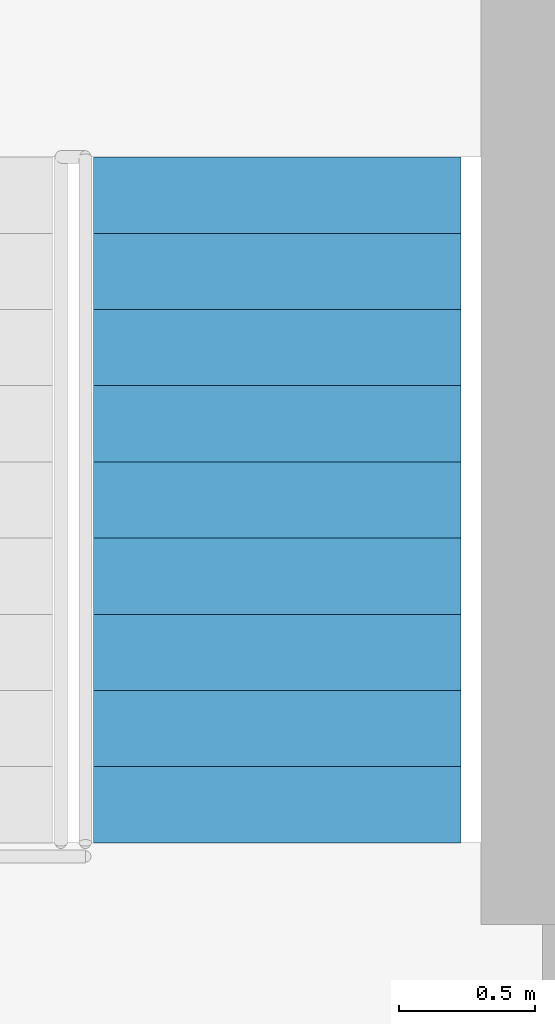
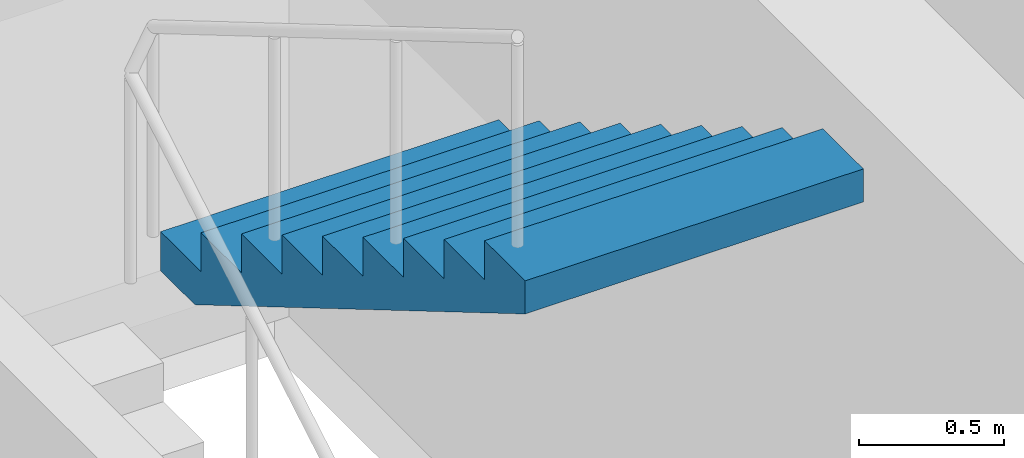
# One storey, part 12 of 13: 1 stair flight, 1 element without a shape of its own.
"""IFC4 building model written with IfcOpenShell, lengths in metres."""

import ifcopenshell
import ifcopenshell.guid

model = None  # the IFC model being written
_history = None  # IfcOwnerHistory: only IFC2X3 demands one
_inside = {}  # id of a spatial element -> (the spatial element, [elements in it])
_under = {}  # id of a project, library or spatial element -> (it, [spatial elements below it])
_declared = {}  # id of a project -> (the project, [libraries it declares])
_typed = {}  # id of a type object -> (the type object, [elements of that type])
_made_of = {}  # id of a material, layer set ... -> (it, [elements and type objects made of it])


def new_model(schema):
    """Start an empty IFC model of exactly this schema.

    Asked for "IFC4X3", IfcOpenShell would pick the latest addendum, in which some entities
    have other attributes; the version numbers below select the first issue.
    IFC2X3 requires an IfcOwnerHistory on every rooted entity: one is made here for all.
    """
    global model, _history
    if schema == "IFC4X3":
        model = ifcopenshell.file(schema_version=(4, 3, 0, 0))
    else:
        model = ifcopenshell.file(schema=schema)
    _inside.clear()
    _under.clear()
    _declared.clear()
    _typed.clear()
    _made_of.clear()
    _history = None
    if model.schema == "IFC2X3":
        org = make("IfcOrganization", Name="unknown")
        user = make(
            "IfcPersonAndOrganization",
            ThePerson=make("IfcPerson", FamilyName="unknown"),
            TheOrganization=org,
        )
        app = make(
            "IfcApplication",
            ApplicationDeveloper=org,
            Version="unknown",
            ApplicationFullName="unknown",
            ApplicationIdentifier="unknown",
        )
        _history = make(
            "IfcOwnerHistory",
            OwningUser=user,
            OwningApplication=app,
            ChangeAction="ADDED",
            CreationDate=0,
        )
    return model


def make(cls, **values):
    """One entity of the class cls with the attributes given. An attribute that is None is left unset."""
    return model.create_entity(
        cls, **{name: value for name, value in values.items() if value is not None}
    )


def rooted(cls, **values):
    """An entity with a GlobalId (a new one), such as an element, a storey or a relation."""
    return make(cls, GlobalId=ifcopenshell.guid.new(), OwnerHistory=_history, **values)


def si_unit(unit_type, name, prefix=None):
    """IfcSIUnit, for example si_unit("LENGTHUNIT", "METRE", prefix="MILLI")."""
    return make("IfcSIUnit", UnitType=unit_type, Prefix=prefix, Name=name)


def assignment(units):
    """IfcUnitAssignment: the units of a project."""
    return None if units is None else make("IfcUnitAssignment", Units=units)


def point(xyz):
    """IfcCartesianPoint."""
    return None if xyz is None else make("IfcCartesianPoint", Coordinates=xyz)


def direction(xyz):
    """IfcDirection."""
    return None if xyz is None else make("IfcDirection", DirectionRatios=xyz)


def frame(location, z_axis=None, x_axis=None):
    """IfcAxis2Placement3D, a coordinate frame: its origin and axes. An axis left out is left unset."""
    return make(
        "IfcAxis2Placement3D",
        Location=point(location),
        Axis=direction(z_axis),
        RefDirection=direction(x_axis),
    )


def origin():
    """The frame at (0, 0, 0) with its axes left unset."""
    return frame((0.0, 0.0, 0.0))


def place(relative_to, where):
    """IfcLocalPlacement: puts the frame where relative to a parent placement (None: the world)."""
    return make(
        "IfcLocalPlacement", PlacementRelTo=relative_to, RelativePlacement=where
    )


def context(
    kind, dimensions, precision=None, world=None, true_north=None, identifier=None
):
    """IfcGeometricRepresentationContext, for example the 3D "Model" context."""
    return make(
        "IfcGeometricRepresentationContext",
        ContextIdentifier=identifier,
        ContextType=kind,
        CoordinateSpaceDimension=dimensions,
        Precision=precision,
        WorldCoordinateSystem=world,
        TrueNorth=true_north,
    )


def subcontext(parent, identifier, kind, view, scale=None):
    """IfcGeometricRepresentationSubContext, for example "Body" below "Model"."""
    return make(
        "IfcGeometricRepresentationSubContext",
        ContextIdentifier=identifier,
        ContextType=kind,
        ParentContext=parent,
        TargetScale=scale,
        TargetView=view,
    )


def project(units=None, contexts=None):
    """IfcProject with its units and contexts."""
    return rooted(
        "IfcProject",
        Name="project",
        RepresentationContexts=contexts,
        UnitsInContext=assignment(units),
    )


def spatial(cls, under=None, at=None, **own):
    """A site, building, storey or space (cls), placed at a placement, below another one or the project."""
    s = rooted(cls, ObjectPlacement=at, **own)
    if under is not None:
        _under.setdefault(under.id(), (under, []))[1].append(s)
    return s


def polyline(points):
    """IfcPolyline through the points."""
    return make("IfcPolyline", Points=[point(p) for p in points])


def outline(outer, holes=None, kind="AREA"):
    """IfcArbitraryClosedProfileDef: a profile drawn as a closed curve; with holes, ...WithVoids."""
    if holes is None:
        return make("IfcArbitraryClosedProfileDef", ProfileType=kind, OuterCurve=outer)
    return make(
        "IfcArbitraryProfileDefWithVoids",
        ProfileType=kind,
        OuterCurve=outer,
        InnerCurves=holes,
    )


def extrude(swept, where, along, depth):
    """IfcExtrudedAreaSolid: the profile swept, set in the frame where, extruded along a direction by depth."""
    return make(
        "IfcExtrudedAreaSolid",
        SweptArea=swept,
        Position=where,
        ExtrudedDirection=direction(along),
        Depth=depth,
    )


def shape(context_of_items, identifier, shape_type, items):
    """IfcShapeRepresentation: the items that make up one representation, for example the "Body"."""
    return make(
        "IfcShapeRepresentation",
        ContextOfItems=context_of_items,
        RepresentationIdentifier=identifier,
        RepresentationType=shape_type,
        Items=items,
    )


def material(Name=None, Category=None):
    """IfcMaterial."""
    return make("IfcMaterial", Name=Name, Category=Category)


def made_of(thing, what):
    """Note that an element or type object is made of a material, layer set ...; save() writes the relation."""
    if what is not None:
        _made_of.setdefault(what.id(), (what, []))[1].append(thing)
    return thing


def type_object(cls, material=None, **own):
    """A type object (cls), such as IfcWallType, which elements share."""
    return made_of(rooted(cls, **own), material)


def element(
    cls,
    number,
    at=None,
    inside=None,
    cuts=None,
    type_object=None,
    material=None,
    context=None,
    identifier="Body",
    shape_type=None,
    held_by="IfcProductDefinitionShape",
    body=None,
    shapes=None,
    **own,
):
    """One element of the class cls, such as IfcWall. Its Tag is "e" and its number.

    at: its placement. inside: the storey or other place that contains it. cuts: it is an
    opening in that element (IfcRelVoidsElement). A single representation is given by context,
    identifier, shape_type and body (its items); several are given by shapes. held_by: the class
    of the entity that holds the representations. save() writes the other relations.
    """
    e = rooted(cls, Tag="e%d" % number, ObjectPlacement=at, **own)
    if body is not None:
        shapes = [shape(context, identifier, shape_type, body)]
    if shapes is not None:
        e.Representation = make(held_by, Representations=shapes)
    if inside is not None:
        _inside.setdefault(inside.id(), (inside, []))[1].append(e)
    if cuts is not None:
        rooted(
            "IfcRelVoidsElement", RelatingBuildingElement=cuts, RelatedOpeningElement=e
        )
    if type_object is not None:
        _typed.setdefault(type_object.id(), (type_object, []))[1].append(e)
    return made_of(e, material)


def aggregate(whole, parts):
    """IfcRelAggregates: a whole, such as a stair, and the parts it consists of."""
    return rooted("IfcRelAggregates", RelatingObject=whole, RelatedObjects=parts)


def save(model, path):
    """Write the relations noted so far, then the file.

    IfcRelAggregates (storeys below a building ...), IfcRelContainedInSpatialStructure (elements
    in a storey), IfcRelDefinesByType, IfcRelAssociatesMaterial and IfcRelDeclares: one each for
    every whole, place, type object, material and project.
    """
    for whole, parts in _under.values():
        aggregate(whole, parts)
    for where, things in _inside.values():
        rooted(
            "IfcRelContainedInSpatialStructure",
            RelatedElements=things,
            RelatingStructure=where,
        )
    for kind, things in _typed.values():
        rooted("IfcRelDefinesByType", RelatedObjects=things, RelatingType=kind)
    for what, things in _made_of.values():
        rooted("IfcRelAssociatesMaterial", RelatedObjects=things, RelatingMaterial=what)
    for by, libraries in _declared.values():
        rooted("IfcRelDeclares", RelatingContext=by, RelatedDefinitions=libraries)
    model.write(path)


model = new_model("IFC4")

# Units and contexts
model_context = context("Model", 3, precision=1e-05, world=origin(), true_north=direction((0.0, 1.0)))
body_context = subcontext(model_context, "Body", "Model", "MODEL_VIEW")
ifc_project = project(units=[si_unit("LENGTHUNIT", "METRE"), si_unit("AREAUNIT", "SQUARE_METRE"), si_unit("VOLUMEUNIT", "CUBIC_METRE"), si_unit("PLANEANGLEUNIT", "RADIAN"), si_unit("MASSUNIT", "GRAM", prefix="KILO")], contexts=[model_context])

# Site, building, storey
site_placement = place(None, origin())
site = spatial("IfcSite", under=ifc_project, at=site_placement, CompositionType="ELEMENT")
building_placement = place(site_placement, origin())
building = spatial("IfcBuilding", under=site, at=building_placement, Name="Quoin Convention Tower", CompositionType="ELEMENT")
storey_placement = place(building_placement, frame((0.0, 0.0, 26.39990234375)))
storey = spatial("IfcBuildingStorey", under=building, at=storey_placement, Name="L05", CompositionType="ELEMENT", Elevation=26.39990234375)

# Stair, stair flight
ifc_material = material(Name="Concrete C40", Category="concrete")
stair_type = type_object("IfcStairType", Name="Exit stair two-flight 1350", PredefinedType="HALF_TURN_STAIR", material=ifc_material)
stair_placement = place(storey_placement, origin())
stair = element("IfcStair", 1, at=stair_placement, inside=storey, type_object=stair_type, Name="SD2 L05", PredefinedType="HALF_TURN_STAIR")
stair_flight_type = type_object("IfcStairFlightType", Name="Stair flight 1350", PredefinedType="STRAIGHT", material=ifc_material)
stair_flight_placement = place(storey_placement, frame((66.25, 60.320068359375, 1.650146484375), z_axis=(0.0, 0.0, 1.0), x_axis=(0.0, -1.0, 0.0)))
stair_flight = element("IfcStairFlight", 2, at=stair_flight_placement, type_object=stair_flight_type, Name="ST2 flight 2", NumberOfRisers=10, NumberOfTreads=9, PredefinedType="STRAIGHT", RiserHeight=0.165, TreadLength=0.28, context=body_context, shape_type="SweptSolid", body=[
    extrude(outline(polyline([(0.0, 0.0), (0.0, 0.1650390625), (0.280029296875, 0.1650390625), (0.280029296875, 0.330078125), (0.56005859375, 0.330078125), (0.56005859375, 0.4951171875), (0.840087890625, 0.4951171875), (0.840087890625, 0.659912109375), (1.1201171875, 0.659912109375), (1.1201171875, 0.824951171875), (1.39990234375, 0.824951171875), (1.39990234375, 0.989990234375), (1.679931640625, 0.989990234375), (1.679931640625, 1.155029296875), (1.9599609375, 1.155029296875), (1.9599609375, 1.320068359375), (2.239990234375, 1.320068359375), (2.239990234375, 1.485107421875), (2.52001953125, 1.485107421875), (2.52001953125, 1.64990234375), (2.52001953125, 1.345458984375), (0.236572265625, 0.0), (0.0, 0.0)])), frame((0.0, 0.675048828125, 0.0), z_axis=(0.0, -1.0, 0.0), x_axis=(1.0, 0.0, 0.0)), (0.0, 0.0, 1.0), 1.35009765625),
])
aggregate(stair, [stair_flight])

save(model, "model.ifc")
